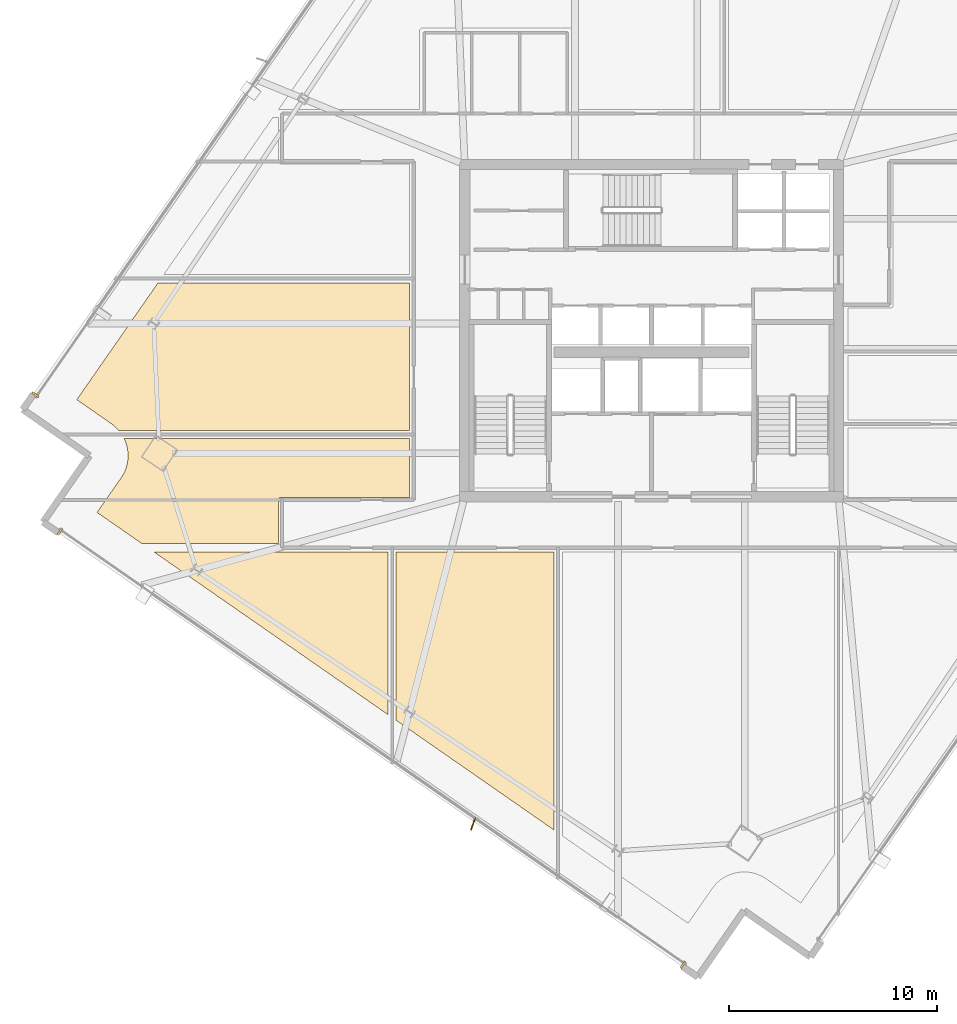
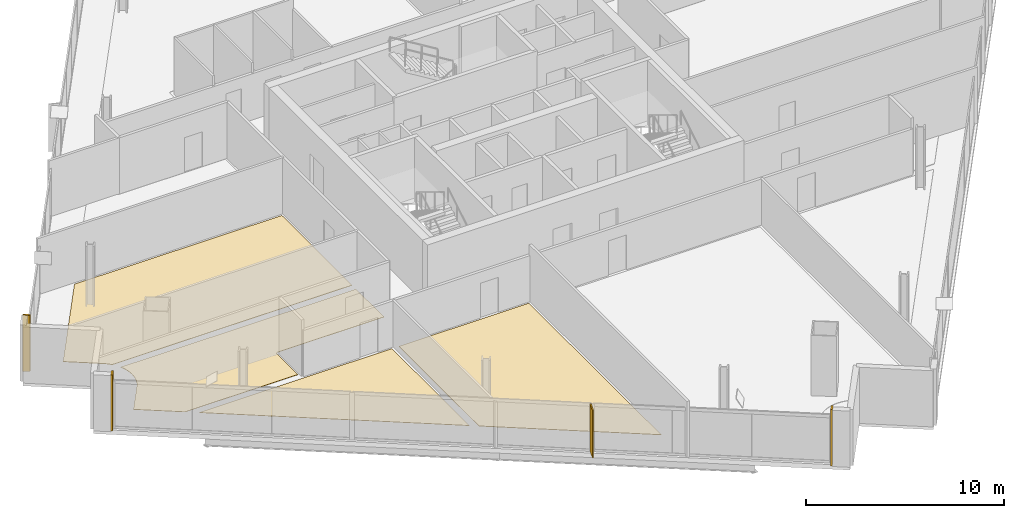
# One storey, part 26 of 30: 7 coverings, 1 shading device.
"""IFC4 building model written with IfcOpenShell, lengths in metres."""

from ifc_helpers import new_model, si_unit, direction, frame, origin, origin_2d, place, context, subcontext, project, spatial, polyline, rectangle, outline, extrude, source, transform, mapped, material, layer, layer_set, type_object, element, save


model = new_model("IFC4")

# Units and contexts
model_context = context("Model", 3, precision=1e-05, world=origin(), true_north=direction((0.0, 1.0)))
body_context = subcontext(model_context, "Body", "Model", "MODEL_VIEW")
ifc_project = project(units=[si_unit("LENGTHUNIT", "METRE"), si_unit("AREAUNIT", "SQUARE_METRE"), si_unit("VOLUMEUNIT", "CUBIC_METRE"), si_unit("PLANEANGLEUNIT", "RADIAN"), si_unit("MASSUNIT", "GRAM", prefix="KILO")], contexts=[model_context])

# Site, building, storey
site_placement = place(None, origin())
site = spatial("IfcSite", under=ifc_project, at=site_placement, CompositionType="ELEMENT")
building_placement = place(site_placement, origin())
building = spatial("IfcBuilding", under=site, at=building_placement, Name="Haldenkirk Collegiate Tower", CompositionType="ELEMENT")
storey_placement = place(building_placement, frame((0.0, 0.0, 213.449951171875)))
storey = spatial("IfcBuildingStorey", under=building, at=storey_placement, Name="L53", CompositionType="ELEMENT", Elevation=213.449951171875)

# Coverings
ifc_material_1 = material(Name="Polished collegiate terrazzo", Category="concrete")
ifc_layer_1 = layer(ifc_material_1, 0.02490234375)
ifc_layer_set_1 = layer_set([ifc_layer_1], Name="Polished collegiate terrazzo")
covering_type_1 = type_object("IfcCoveringType", Name="COV-FLOOR-TERRAZZO", PredefinedType="FLOORING", material=ifc_layer_set_1)
covering_1_placement = place(storey_placement, origin())
element("IfcCovering", 1, at=covering_1_placement, inside=storey, type_object=covering_type_1, Name="L53 academic room finish 02", PredefinedType="FLOORING", context=body_context, shape_type="SweptSolid", body=[
    extrude(outline(polyline([(23.699951171875, 7.2333984375), (23.699951171875, 15.35009765625), (31.300048828125, 15.35009765625), (31.300048828125, 1.951171875), (23.699951171875, 7.2333984375)])), origin(), (0.0, 0.0, 1.0), 0.025146484375),
])
covering_2_placement = place(storey_placement, origin())
element("IfcCovering", 2, at=covering_2_placement, inside=storey, type_object=covering_type_1, Name="L53 academic room finish 08", PredefinedType="FLOORING", context=body_context, shape_type="SweptSolid", body=[
    extrude(outline(polyline([(10.27001953125, 21.271484375), (10.261962890625, 21.27978515625), (10.13671875, 21.397705078125), (10.127685546875, 21.4052734375), (9.99169921875, 21.510009765625), (9.987060546875, 21.513427734375), (8.320068359375, 22.672119140625), (12.231689453125, 28.300048828125), (24.35009765625, 28.300048828125), (24.35009765625, 21.199951171875), (10.33251953125, 21.199951171875), (10.27001953125, 21.271484375)])), origin(), (0.0, 0.0, 1.0), 0.025146484375),
])
ifc_material_2 = material(Name="Engineered collegiate oak acoustic flooring", Category="wood")
ifc_layer_2 = layer(ifc_material_2, 0.02197265625)
ifc_layer_set_2 = layer_set([ifc_layer_2], Name="Engineered collegiate oak acoustic flooring")
covering_type_2 = type_object("IfcCoveringType", Name="COV-FLOOR-TIMBER", PredefinedType="FLOORING", material=ifc_layer_set_2)
covering_3_placement = place(storey_placement, origin())
element("IfcCovering", 3, at=covering_3_placement, inside=storey, type_object=covering_type_2, Name="L53 academic room finish 01", PredefinedType="FLOORING", context=body_context, shape_type="SweptSolid", body=[
    extrude(outline(polyline([(12.021728515625, 15.35009765625), (23.300048828125, 15.35009765625), (23.300048828125, 7.51123046875), (12.021728515625, 15.35009765625)])), origin(), (0.0, 0.0, 1.0), 0.02197265625),
])
covering_4_placement = place(storey_placement, origin())
element("IfcCovering", 4, at=covering_4_placement, inside=storey, type_object=covering_type_2, Name="L53 academic room finish 07", PredefinedType="FLOORING", context=body_context, shape_type="SweptSolid", body=[
    extrude(outline(polyline([(10.455322265625, 18.910888671875), (10.45849609375, 18.915771484375), (10.549560546875, 19.061279296875), (10.555419921875, 19.071533203125), (10.631591796875, 19.2255859375), (10.63623046875, 19.236328125), (10.697021484375, 19.39697265625), (10.70068359375, 19.408203125), (10.74560546875, 19.573974609375), (10.748046875, 19.58544921875), (10.7763671875, 19.7548828125), (10.777587890625, 19.7666015625), (10.789306640625, 19.937744140625), (10.789306640625, 19.94970703125), (10.7841796875, 20.121337890625), (10.783203125, 20.133056640625), (10.760986328125, 20.30322265625), (10.759033203125, 20.31494140625), (10.720458984375, 20.482177734375), (10.71728515625, 20.493408203125), (10.662353515625, 20.65625), (10.657958984375, 20.667236328125), (10.59814453125, 20.800048828125), (24.35009765625, 20.800048828125), (24.35009765625, 17.969970703125), (18.14990234375, 17.969970703125), (18.13818359375, 17.969482421875), (18.126708984375, 17.9677734375), (18.115234375, 17.96484375), (18.10400390625, 17.9609375), (18.093505859375, 17.955810546875), (18.083251953125, 17.94970703125), (18.073974609375, 17.94287109375), (18.065185546875, 17.934814453125), (18.05712890625, 17.926025390625), (18.05029296875, 17.916748046875), (18.044189453125, 17.906494140625), (18.0390625, 17.89599609375), (18.03515625, 17.884765625), (18.0322265625, 17.873291015625), (18.030517578125, 17.86181640625), (18.030029296875, 17.85009765625), (18.030029296875, 15.75), (11.4462890625, 15.75), (9.296875, 17.243896484375), (10.455322265625, 18.910888671875)])), origin(), (0.0, 0.0, 1.0), 0.02197265625),
])
ifc_material_3 = material(Name="Anodised architectural bronze aluminium", Category="aluminium")
ifc_layer_3 = layer(ifc_material_3, 0.06005859375)
ifc_layer_set_3 = layer_set([ifc_layer_3], Name="Anodised architectural bronze aluminium")
covering_type_3 = type_object("IfcCoveringType", Name="COV-CLAD-BRONZE-60", PredefinedType="CLADDING", material=ifc_layer_set_3)
shared_shape_1 = source(origin(), body_context, "Body", "SweptSolid", [
    extrude(rectangle(XDim=0.10009765625, YDim=0.3798828125, at=origin_2d()), origin(), (0.0, 0.0, 1.0), 3.469970703125),
])
for number, where, z_axis, x_axis, name in (
    (5, (6.322021484375, 22.916015625, 0.0), (0.0, 0.0, 1.0), (0.570713567684, 0.821149209134, 0.0), "L53 recessed curtain-wall bronze jamb closure NJL"),
    (6, (37.513916015625, -4.535400390625, 0.0), (0.0, 0.0, 1.0), (-0.821149209134, 0.570713567684, 0.0), "L53 recessed curtain-wall bronze jamb closure WJL"),
    (7, (7.509033203125, 16.318603515625, 0.0), (0.0, 0.0, 1.0), (-0.821149209134, 0.570713567684, 0.0), "L53 recessed curtain-wall bronze jamb closure WJR"),
):
    element("IfcCovering", number, at=place(storey_placement, frame(where, z_axis=z_axis, x_axis=x_axis)), inside=storey, type_object=covering_type_3, Name=name, PredefinedType="CLADDING", context=body_context, shape_type="MappedRepresentation", body=[
        mapped(shared_shape_1, transform((0.0, 0.0, 0.0), x_axis=(1.0, 0.0, 0.0), y_axis=(0.0, 1.0, 0.0), z_axis=(0.0, 0.0, 1.0), scale=1.0)),
    ])

# Shading device
ifc_layer_4 = layer(ifc_material_3, 0.06494140625)
ifc_layer_set_4 = layer_set([ifc_layer_4], Name="Anodised architectural bronze aluminium")
shading_device_type = type_object("IfcShadingDeviceType", Name="SHD-FIN-BRONZE-620", PredefinedType="USERDEFINED", material=ifc_layer_set_4)
shared_shape_2 = source(origin(), body_context, "Body", "SweptSolid", [
    extrude(rectangle(XDim=0.6201171875, YDim=0.06494140625, at=origin_2d()), origin(), (0.0, 0.0, 1.0), 2.927978515625),
])
shading_device_placement = place(storey_placement, frame((27.403564453125, 2.241943359375, 0.0), z_axis=(0.0, 0.0, 1.0), x_axis=(-0.322265695231, -0.946649260116, 0.0)))
element("IfcShadingDevice", 8, at=shading_device_placement, inside=storey, type_object=shading_device_type, Name="L53 folded bronze solar fin 1", ObjectType="FIN", PredefinedType="USERDEFINED", context=body_context, shape_type="MappedRepresentation", body=[
    mapped(shared_shape_2, transform((0.0, 0.0, 0.0), x_axis=(1.0, 0.0, 0.0), y_axis=(0.0, 1.0, 0.0), z_axis=(0.0, 0.0, 1.0), scale=1.0)),
])

save(model, "model.ifc")
